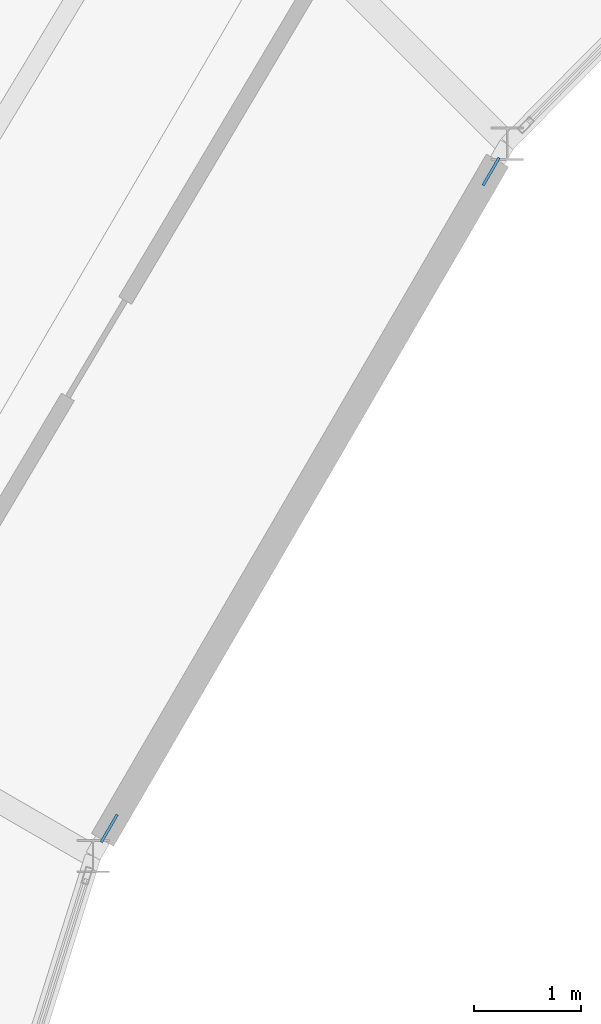
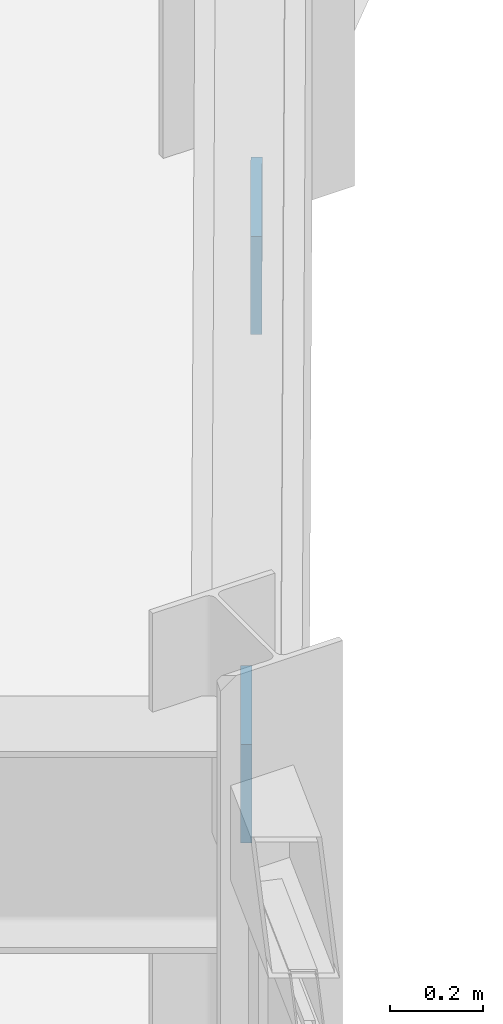
# One storey, part 117 of 148: 2 plates.
"""IFC4 building model written with IfcOpenShell, lengths in metres."""

from ifc_helpers import new_model, si_unit, direction, frame, origin, origin_2d, place, context, subcontext, project, spatial, rectangle, extrude, material, layer, layer_set, type_object, element, save


model = new_model("IFC4")

# Units and contexts
model_context = context("Model", 3, precision=1e-05, world=origin(), true_north=direction((0.0, 1.0)))
body_context = subcontext(model_context, "Body", "Model", "MODEL_VIEW")
ifc_project = project(units=[si_unit("LENGTHUNIT", "METRE"), si_unit("AREAUNIT", "SQUARE_METRE"), si_unit("VOLUMEUNIT", "CUBIC_METRE"), si_unit("PLANEANGLEUNIT", "RADIAN"), si_unit("MASSUNIT", "GRAM", prefix="KILO")], contexts=[model_context])

# Site, building, storey
site_placement = place(None, origin())
site = spatial("IfcSite", under=ifc_project, at=site_placement, CompositionType="ELEMENT")
building_placement = place(site_placement, origin())
building = spatial("IfcBuilding", under=site, at=building_placement, Name="Karori Crest Natural Sciences Institute", CompositionType="ELEMENT")
storey_placement = place(building_placement, frame((0.0, 0.0, 4.89990234375)))
storey = spatial("IfcBuildingStorey", under=building, at=storey_placement, Name="L01", CompositionType="ELEMENT", Elevation=4.89990234375)

# Plates
ifc_material = material(Name="Structural steel AS/NZS 3679.1 Grade 350", Category="steel")
ifc_layer = layer(ifc_material, 0.02490234375, Name="Structural steel AS/NZS 3679.1 Grade 350")
ifc_layer_set = layer_set([ifc_layer], Name="Structural steel AS/NZS 3679.1 Grade 350")
plate_type = type_object("IfcPlateType", Name="PLT-06", PredefinedType="SHEET", material=ifc_layer_set)
for number, where, z_axis, x_axis, name in (
    (1, (48.995849609375, 72.409423828125, -0.11962890625), (0.0, 0.0, 1.0), (0.502651840669, 0.86448893982, 0.0), "Brace gusset plate EP-0019"),
    (2, (45.419921875, 66.25927734375, 3.5205078125), (0.0, 0.0, 1.0), (0.502651840669, 0.86448893982, 0.0), "Brace gusset plate EP-0020"),
):
    element("IfcPlate", number, at=place(storey_placement, frame(where, z_axis=z_axis, x_axis=x_axis)), inside=storey, type_object=plate_type, Name=name, PredefinedType="SHEET", context=body_context, shape_type="SweptSolid", body=[
        extrude(rectangle(XDim=0.299072265625, YDim=0.02490234375, at=origin_2d()), origin(), (0.0, 0.0, 1.0), 0.259033203125),
    ])

save(model, "model.ifc")
